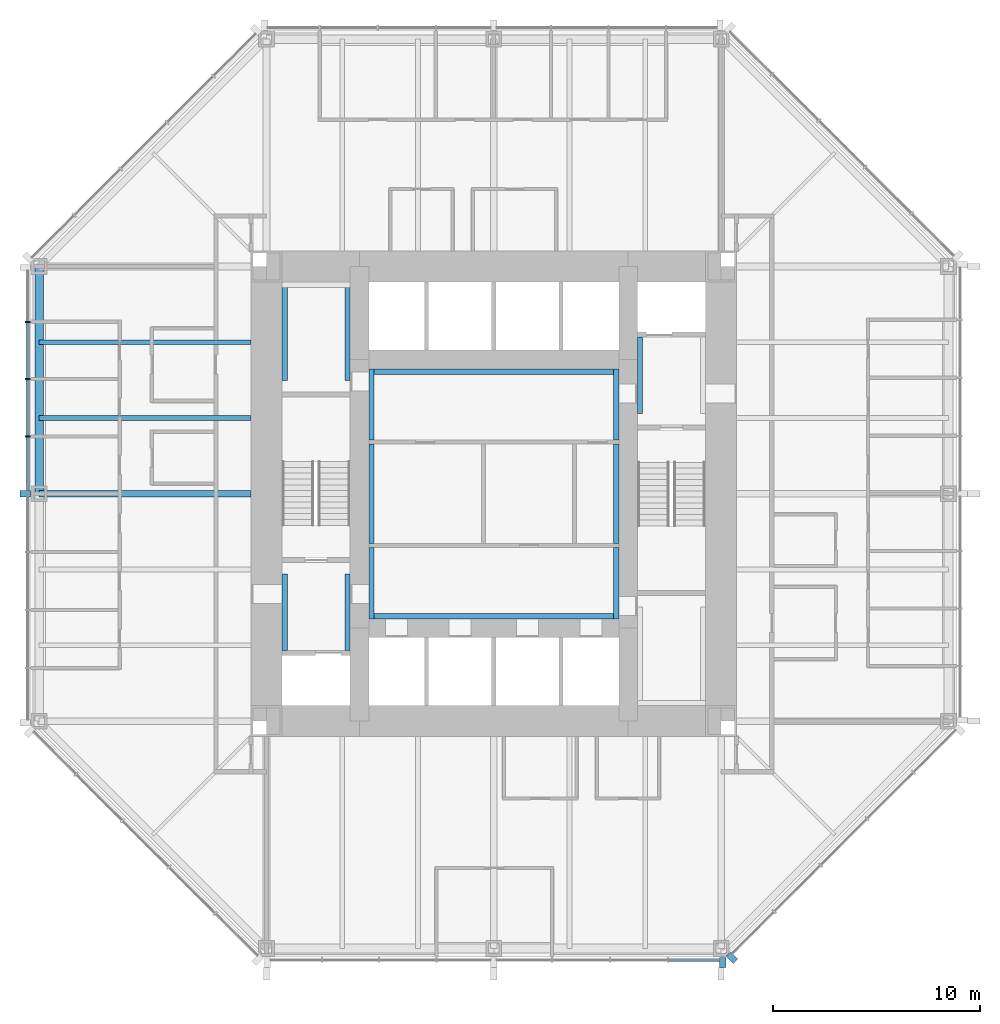
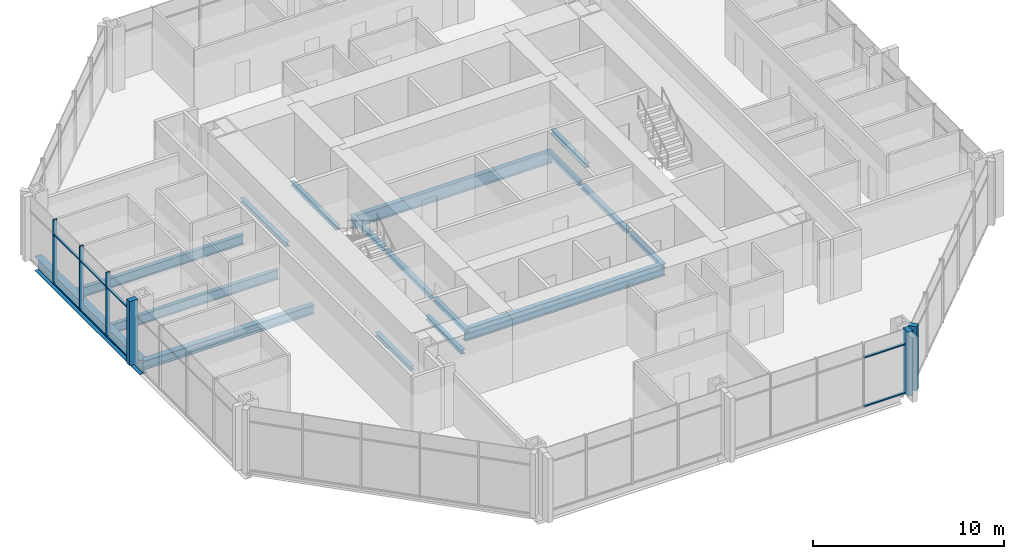
# One storey, part 3 of 14: 17 beams, 14 members, 3 elements without a shape of their own.
"""IFC4 building model written with IfcOpenShell, lengths in metres."""

from ifc_helpers import new_model, si_unit, direction, frame, origin, origin_2d, place, context, subcontext, project, spatial, rectangle, i_section, extrude, material, material_profile, profile_set, type_object, element, aggregate, save


model = new_model("IFC4")

# Units and contexts
model_context = context("Model", 3, precision=1e-05, world=origin(), true_north=direction((0.0, 1.0)))
body_context = subcontext(model_context, "Body", "Model", "MODEL_VIEW")
ifc_project = project(units=[si_unit("LENGTHUNIT", "METRE"), si_unit("AREAUNIT", "SQUARE_METRE"), si_unit("VOLUMEUNIT", "CUBIC_METRE"), si_unit("PLANEANGLEUNIT", "RADIAN"), si_unit("MASSUNIT", "GRAM", prefix="KILO")], contexts=[model_context])

# Site, building, storey
site_placement = place(None, origin())
site = spatial("IfcSite", under=ifc_project, at=site_placement, CompositionType="ELEMENT")
building_placement = place(site_placement, origin())
building = spatial("IfcBuilding", under=site, at=building_placement, Name="Trevanion Tower", CompositionType="ELEMENT")
storey_placement = place(building_placement, frame((0.0, 0.0, 104.89990234375)))
storey = spatial("IfcBuildingStorey", under=building, at=storey_placement, Name="L24", CompositionType="ELEMENT", Elevation=104.89990234375)

# Beams
ifc_material_1 = material(Name="Steel ASTM A992 Grade 50", Category="steel")
ifc_material_profile_1 = material_profile(ifc_material_1, i_section(OverallWidth=0.22900390625, OverallDepth=0.612060546875, WebThickness=0.011962890625, FlangeThickness=0.01953125, at=origin_2d()), Name="W24X84")
ifc_profile_set_1 = profile_set([ifc_material_profile_1], Name="Steel ASTM A992 Grade 50")
beam_type_1 = type_object("IfcBeamType", Name="B7 W24X84", PredefinedType="BEAM", material=ifc_profile_set_1)
for number, where, z_axis, x_axis, name in (
    (1, (-11.75, 7.333251953125, -0.49609375), (-1.0, 0.0, 0.0), (0.0, -1.0, 0.0), "B7 L24"),
    (2, (-11.75, 3.666748046875, -0.49609375), (-1.0, 0.0, 0.0), (0.0, -1.0, 0.0), "B7 L24"),
):
    element("IfcBeam", number, at=place(storey_placement, frame(where, z_axis=z_axis, x_axis=x_axis)), inside=storey, type_object=beam_type_1, Name=name, PredefinedType="BEAM", context=body_context, shape_type="SweptSolid", body=[
        extrude(i_section(OverallWidth=0.22900390625, OverallDepth=0.612060546875, WebThickness=0.011962890625, FlangeThickness=0.01953125, at=origin_2d()), origin(), (0.0, 0.0, 1.0), 10.25),
    ])

# Curtain wall, members
ifc_material_2 = material(Name="Aluminium and glass", Category="aluminium")
curtain_wall_type = type_object("IfcCurtainWallType", Name="CW2 curtain wall", PredefinedType="USERDEFINED", material=ifc_material_2)
curtain_wall_1_placement = place(storey_placement, origin())
curtain_wall_1 = element("IfcCurtainWall", 3, at=curtain_wall_1_placement, inside=storey, type_object=curtain_wall_type, Name="CW2 L24 4", ObjectType="UNITISED CURTAIN WALL", PredefinedType="USERDEFINED")
ifc_material_3 = material(Name="Aluminium extrusion, anodised bronze", Category="aluminium")
ifc_material_profile_2 = material_profile(ifc_material_3, rectangle(XDim=0.074951171875, YDim=0.25, at=origin_2d()), Name="CW2 mullion")
ifc_profile_set_2 = profile_set([ifc_material_profile_2], Name="Aluminium extrusion, anodised bronze")
member_type_1 = type_object("IfcMemberType", Name="CW2 mullion", PredefinedType="MULLION", material=ifc_profile_set_2)
member_1_placement = place(storey_placement, frame((-22.550048828125, 8.323486328125, -0.18994140625), z_axis=(0.0, 0.0, 1.0), x_axis=(0.0, -1.0, 0.0)))
member_1 = element("IfcMember", 4, at=member_1_placement, type_object=member_type_1, Name="CW2 mullion 2", PredefinedType="MULLION", context=body_context, shape_type="SweptSolid", body=[
    extrude(rectangle(XDim=0.074951171875, YDim=0.25, at=origin_2d()), origin(), (0.0, 0.0, 1.0), 4.10009765625),
])
member_2_placement = place(storey_placement, frame((-22.550048828125, 5.548828125, -0.18994140625), z_axis=(0.0, 0.0, 1.0), x_axis=(0.0, -1.0, 0.0)))
member_2 = element("IfcMember", 5, at=member_2_placement, type_object=member_type_1, Name="CW2 mullion 3", PredefinedType="MULLION", context=body_context, shape_type="SweptSolid", body=[
    extrude(rectangle(XDim=0.074951171875, YDim=0.25, at=origin_2d()), origin(), (0.0, 0.0, 1.0), 4.10009765625),
])
member_3_placement = place(storey_placement, frame((-22.550048828125, 2.7744140625, -0.18994140625), z_axis=(0.0, 0.0, 1.0), x_axis=(0.0, -1.0, 0.0)))
member_3 = element("IfcMember", 6, at=member_3_placement, type_object=member_type_1, Name="CW2 mullion 4", PredefinedType="MULLION", context=body_context, shape_type="SweptSolid", body=[
    extrude(rectangle(XDim=0.074951171875, YDim=0.25, at=origin_2d()), origin(), (0.0, 0.0, 1.0), 4.10009765625),
])
ifc_material_4 = material(Name="Aluminium extrusion, anodised bronze", Category="aluminium")
ifc_material_profile_3 = material_profile(ifc_material_4, rectangle(XDim=0.300048828125, YDim=0.5, at=origin_2d()), Name="CW2 pier mullion")
ifc_profile_set_3 = profile_set([ifc_material_profile_3], Name="Aluminium extrusion, anodised bronze")
member_type_2 = type_object("IfcMemberType", Name="CW2 pier mullion", PredefinedType="MULLION", material=ifc_profile_set_3)
member_4_placement = place(storey_placement, frame((-22.675048828125, 0.0, -0.18994140625), z_axis=(0.0, 0.0, 1.0), x_axis=(0.0, -1.0, 0.0)))
member_4 = element("IfcMember", 7, at=member_4_placement, type_object=member_type_2, Name="CW2 pier mullion 5", PredefinedType="MULLION", context=body_context, shape_type="SweptSolid", body=[
    extrude(rectangle(XDim=0.300048828125, YDim=0.5, at=origin_2d()), origin(), (0.0, 0.0, 1.0), 4.10009765625),
])

# Curtain wall, member
curtain_wall_2_placement = place(storey_placement, origin())
curtain_wall_2 = element("IfcCurtainWall", 8, at=curtain_wall_2_placement, inside=storey, type_object=curtain_wall_type, Name="CW2 L24 6", ObjectType="UNITISED CURTAIN WALL", PredefinedType="USERDEFINED")
member_5_placement = place(storey_placement, frame((11.077880859375, -22.675048828125, -0.18994140625), z_axis=(0.0, 0.0, 1.0), x_axis=(1.0, 0.0, 0.0)))
member_5 = element("IfcMember", 9, at=member_5_placement, type_object=member_type_2, Name="CW2 pier mullion 9", PredefinedType="MULLION", context=body_context, shape_type="SweptSolid", body=[
    extrude(rectangle(XDim=0.300048828125, YDim=0.5, at=origin_2d()), origin(), (0.0, 0.0, 1.0), 4.10009765625),
])

curtain_wall_3_placement = place(storey_placement, origin())
curtain_wall_3 = element("IfcCurtainWall", 10, at=curtain_wall_3_placement, inside=storey, type_object=curtain_wall_type, Name="CW2 L24 7", ObjectType="UNITISED CURTAIN WALL", PredefinedType="USERDEFINED")
member_6_placement = place(storey_placement, frame((11.51416015625, -22.4404296875, -0.18994140625), z_axis=(0.0, 0.0, 1.0), x_axis=(0.707106781187, 0.707106781187, 0.0)))
member_6 = element("IfcMember", 11, at=member_6_placement, type_object=member_type_2, Name="CW2 pier mullion 1", PredefinedType="MULLION", context=body_context, shape_type="SweptSolid", body=[
    extrude(rectangle(XDim=0.300048828125, YDim=0.5, at=origin_2d()), origin(), (0.0, 0.0, 1.0), 4.10009765625),
])
aggregate(curtain_wall_3, [member_6])

# Member
ifc_material_5 = material(Name="Aluminium extrusion, anodised bronze", Category="aluminium")
ifc_material_profile_4 = material_profile(ifc_material_5, rectangle(XDim=0.14990234375, YDim=0.074951171875, at=origin_2d()), Name="CW2 transom")
ifc_profile_set_4 = profile_set([ifc_material_profile_4], Name="Aluminium extrusion, anodised bronze")
member_type_3 = type_object("IfcMemberType", Name="CW2 transom", PredefinedType="USERDEFINED", material=ifc_profile_set_4)
member_7_placement = place(storey_placement, frame((-22.550048828125, 8.285888671875, -0.15234375), z_axis=(0.0, -1.0, 0.0), x_axis=(1.0, 0.0, 0.0)))
member_7 = element("IfcMember", 12, at=member_7_placement, type_object=member_type_3, Name="CW2 transom 2.1", ObjectType="TRANSOM", PredefinedType="USERDEFINED", context=body_context, shape_type="SweptSolid", body=[
    extrude(rectangle(XDim=0.14990234375, YDim=0.074951171875, at=origin_2d()), origin(), (0.0, 0.0, 1.0), 2.699462890625),
])

member_8_placement = place(storey_placement, frame((-22.550048828125, 8.285888671875, 2.960205078125), z_axis=(0.0, -1.0, 0.0), x_axis=(1.0, 0.0, 0.0)))
member_8 = element("IfcMember", 13, at=member_8_placement, type_object=member_type_3, Name="CW2 transom 2.2", ObjectType="TRANSOM", PredefinedType="USERDEFINED", context=body_context, shape_type="SweptSolid", body=[
    extrude(rectangle(XDim=0.14990234375, YDim=0.074951171875, at=origin_2d()), origin(), (0.0, 0.0, 1.0), 2.699462890625),
])

member_9_placement = place(storey_placement, frame((-22.550048828125, 5.511474609375, -0.15234375), z_axis=(0.0, -1.0, 0.0), x_axis=(1.0, 0.0, 0.0)))
member_9 = element("IfcMember", 14, at=member_9_placement, type_object=member_type_3, Name="CW2 transom 3.1", ObjectType="TRANSOM", PredefinedType="USERDEFINED", context=body_context, shape_type="SweptSolid", body=[
    extrude(rectangle(XDim=0.14990234375, YDim=0.074951171875, at=origin_2d()), origin(), (0.0, 0.0, 1.0), 2.699462890625),
])

member_10_placement = place(storey_placement, frame((-22.550048828125, 5.511474609375, 2.960205078125), z_axis=(0.0, -1.0, 0.0), x_axis=(1.0, 0.0, 0.0)))
member_10 = element("IfcMember", 15, at=member_10_placement, type_object=member_type_3, Name="CW2 transom 3.2", ObjectType="TRANSOM", PredefinedType="USERDEFINED", context=body_context, shape_type="SweptSolid", body=[
    extrude(rectangle(XDim=0.14990234375, YDim=0.074951171875, at=origin_2d()), origin(), (0.0, 0.0, 1.0), 2.699462890625),
])

member_11_placement = place(storey_placement, frame((-22.550048828125, 2.737060546875, -0.15234375), z_axis=(0.0, -1.0, 0.0), x_axis=(1.0, 0.0, 0.0)))
member_11 = element("IfcMember", 16, at=member_11_placement, type_object=member_type_3, Name="CW2 transom 4.1", ObjectType="TRANSOM", PredefinedType="USERDEFINED", context=body_context, shape_type="SweptSolid", body=[
    extrude(rectangle(XDim=0.14990234375, YDim=0.074951171875, at=origin_2d()), origin(), (0.0, 0.0, 1.0), 2.587158203125),
])

member_12_placement = place(storey_placement, frame((-22.550048828125, 2.737060546875, 2.960205078125), z_axis=(0.0, -1.0, 0.0), x_axis=(1.0, 0.0, 0.0)))
member_12 = element("IfcMember", 17, at=member_12_placement, type_object=member_type_3, Name="CW2 transom 4.2", ObjectType="TRANSOM", PredefinedType="USERDEFINED", context=body_context, shape_type="SweptSolid", body=[
    extrude(rectangle(XDim=0.14990234375, YDim=0.074951171875, at=origin_2d()), origin(), (0.0, 0.0, 1.0), 2.587158203125),
])

aggregate(curtain_wall_1, [member_1, member_2, member_3, member_4, member_7, member_8, member_9, member_10, member_11, member_12])

member_13_placement = place(storey_placement, frame((8.45849609375, -22.550048828125, -0.15234375), z_axis=(1.0, 0.0, 0.0), x_axis=(0.0, 1.0, 0.0)))
member_13 = element("IfcMember", 18, at=member_13_placement, type_object=member_type_3, Name="CW2 transom 8.1", ObjectType="TRANSOM", PredefinedType="USERDEFINED", context=body_context, shape_type="SweptSolid", body=[
    extrude(rectangle(XDim=0.14990234375, YDim=0.074951171875, at=origin_2d()), origin(), (0.0, 0.0, 1.0), 2.46923828125),
])

member_14_placement = place(storey_placement, frame((8.45849609375, -22.550048828125, 2.960205078125), z_axis=(1.0, 0.0, 0.0), x_axis=(0.0, 1.0, 0.0)))
member_14 = element("IfcMember", 19, at=member_14_placement, type_object=member_type_3, Name="CW2 transom 8.2", ObjectType="TRANSOM", PredefinedType="USERDEFINED", context=body_context, shape_type="SweptSolid", body=[
    extrude(rectangle(XDim=0.14990234375, YDim=0.074951171875, at=origin_2d()), origin(), (0.0, 0.0, 1.0), 2.46923828125),
])

aggregate(curtain_wall_2, [member_5, member_13, member_14])

# Beams
ifc_material_6 = material(Name="Steel ASTM A992 Grade 50", Category="steel")
ifc_material_profile_5 = material_profile(ifc_material_6, i_section(OverallWidth=0.320068359375, OverallDepth=0.584228515625, WebThickness=0.023193359375, FlangeThickness=0.04150390625, at=origin_2d()), Name="W21X201")
ifc_profile_set_5 = profile_set([ifc_material_profile_5], Name="Steel ASTM A992 Grade 50")
beam_type_2 = type_object("IfcBeamType", Name="G4 W21X201", PredefinedType="BEAM", material=ifc_profile_set_5)
beam_1_placement = place(storey_placement, frame((-11.75, 0.0, -0.48193359375), z_axis=(-1.0, 0.0, 0.0), x_axis=(0.0, -1.0, 0.0)))
element("IfcBeam", 20, at=beam_1_placement, inside=storey, type_object=beam_type_2, Name="G4 L24", PredefinedType="BEAM", context=body_context, shape_type="SweptSolid", body=[
    extrude(i_section(OverallWidth=0.320068359375, OverallDepth=0.584228515625, WebThickness=0.023193359375, FlangeThickness=0.04150390625, at=origin_2d()), origin(), (0.0, 0.0, 1.0), 10.25),
])
ifc_material_7 = material(Name="Steel ASTM A992 Grade 50", Category="steel")
ifc_material_profile_6 = material_profile(ifc_material_7, i_section(OverallWidth=0.256591796875, OverallDepth=0.26416015625, WebThickness=0.011962890625, FlangeThickness=0.01953125, at=origin_2d()), Name="W10X68")
ifc_profile_set_6 = profile_set([ifc_material_profile_6], Name="Steel ASTM A992 Grade 50")
beam_type_3 = type_object("IfcBeamType", Name="LB1 W10X68", PredefinedType="BEAM", material=ifc_profile_set_6)
for number, where, z_axis, x_axis, name in (
    (21, (-5.921630859375, 2.60009765625, -0.33203125), (0.0, 1.0, 0.0), (-1.0, 0.0, 0.0), "LB1 L24"),
    (22, (5.921630859375, 2.60009765625, -0.33203125), (0.0, 1.0, 0.0), (-1.0, 0.0, 0.0), "LB1 L24"),
    (23, (-5.921630859375, -6.050048828125, -0.33203125), (0.0, 1.0, 0.0), (-1.0, 0.0, 0.0), "LB1 L24"),
    (24, (5.921630859375, -6.050048828125, -0.33203125), (0.0, 1.0, 0.0), (-1.0, 0.0, 0.0), "LB1 L24"),
):
    element("IfcBeam", number, at=place(storey_placement, frame(where, z_axis=z_axis, x_axis=x_axis)), inside=storey, type_object=beam_type_3, Name=name, PredefinedType="BEAM", context=body_context, shape_type="SweptSolid", body=[
        extrude(i_section(OverallWidth=0.256591796875, OverallDepth=0.26416015625, WebThickness=0.011962890625, FlangeThickness=0.01953125, at=origin_2d()), origin(), (0.0, 0.0, 1.0), 3.449951171875),
    ])
for number, where, z_axis, x_axis, name in (
    (25, (7.078369140625, 3.875, -0.33203125), (0.0, 1.0, 0.0), (-1.0, 0.0, 0.0), "LB1 L24"),
    (26, (-10.12158203125, -7.574951171875, -0.33203125), (0.0, 1.0, 0.0), (-1.0, 0.0, 0.0), "LB1 L24"),
    (27, (-7.078369140625, -7.574951171875, -0.33203125), (0.0, 1.0, 0.0), (-1.0, 0.0, 0.0), "LB1 L24"),
):
    element("IfcBeam", number, at=place(storey_placement, frame(where, z_axis=z_axis, x_axis=x_axis)), inside=storey, type_object=beam_type_3, Name=name, PredefinedType="BEAM", context=body_context, shape_type="SweptSolid", body=[
        extrude(i_section(OverallWidth=0.256591796875, OverallDepth=0.26416015625, WebThickness=0.011962890625, FlangeThickness=0.01953125, at=origin_2d()), origin(), (0.0, 0.0, 1.0), 3.699951171875),
    ])
for number, where, z_axis, x_axis, name in (
    (28, (-10.12158203125, 5.47509765625, -0.33203125), (0.0, 1.0, 0.0), (-1.0, 0.0, 0.0), "LB1 L24"),
    (29, (-7.078369140625, 5.47509765625, -0.33203125), (0.0, 1.0, 0.0), (-1.0, 0.0, 0.0), "LB1 L24"),
):
    element("IfcBeam", number, at=place(storey_placement, frame(where, z_axis=z_axis, x_axis=x_axis)), inside=storey, type_object=beam_type_3, Name=name, PredefinedType="BEAM", context=body_context, shape_type="SweptSolid", body=[
        extrude(i_section(OverallWidth=0.256591796875, OverallDepth=0.26416015625, WebThickness=0.011962890625, FlangeThickness=0.01953125, at=origin_2d()), origin(), (0.0, 0.0, 1.0), 4.77490234375),
    ])
for number, where, z_axis, x_axis, name in (
    (30, (-5.921630859375, -2.39990234375, -0.33203125), (0.0, 1.0, 0.0), (-1.0, 0.0, 0.0), "LB1 L24"),
    (31, (5.921630859375, -2.39990234375, -0.33203125), (0.0, 1.0, 0.0), (-1.0, 0.0, 0.0), "LB1 L24"),
):
    element("IfcBeam", number, at=place(storey_placement, frame(where, z_axis=z_axis, x_axis=x_axis)), inside=storey, type_object=beam_type_3, Name=name, PredefinedType="BEAM", context=body_context, shape_type="SweptSolid", body=[
        extrude(i_section(OverallWidth=0.256591796875, OverallDepth=0.26416015625, WebThickness=0.011962890625, FlangeThickness=0.01953125, at=origin_2d()), origin(), (0.0, 0.0, 1.0), 4.7998046875),
    ])
ifc_material_8 = material(Name="Steel ASTM A992 Grade 50", Category="steel")
ifc_material_profile_7 = material_profile(ifc_material_8, i_section(OverallWidth=0.2666015625, OverallDepth=0.76953125, WebThickness=0.015625, FlangeThickness=0.025390625, at=origin_2d()), Name="W30X132")
ifc_profile_set_7 = profile_set([ifc_material_profile_7], Name="Steel ASTM A992 Grade 50")
beam_type_4 = type_object("IfcBeamType", Name="LB3 W30X132", PredefinedType="BEAM", material=ifc_profile_set_7)
for number, where, z_axis, x_axis, name in (
    (32, (-6.050048828125, 5.91650390625, -0.584716796875), (1.0, 0.0, 0.0), (0.0, 1.0, 0.0), "LB3 L24"),
    (33, (-6.050048828125, -5.91650390625, -0.584716796875), (1.0, 0.0, 0.0), (0.0, 1.0, 0.0), "LB3 L24"),
):
    element("IfcBeam", number, at=place(storey_placement, frame(where, z_axis=z_axis, x_axis=x_axis)), inside=storey, type_object=beam_type_4, Name=name, PredefinedType="BEAM", context=body_context, shape_type="SweptSolid", body=[
        extrude(i_section(OverallWidth=0.2666015625, OverallDepth=0.76953125, WebThickness=0.015625, FlangeThickness=0.025390625, at=origin_2d()), origin(), (0.0, 0.0, 1.0), 12.10009765625),
    ])
ifc_material_9 = material(Name="Steel ASTM A992 Grade 50", Category="steel")
ifc_material_profile_8 = material_profile(ifc_material_9, i_section(OverallWidth=0.419189453125, OverallDepth=0.927001953125, WebThickness=0.019287109375, FlangeThickness=0.031982421875, at=origin_2d()), Name="W36X231")
ifc_profile_set_8 = profile_set([ifc_material_profile_8], Name="Steel ASTM A992 Grade 50")
beam_type_5 = type_object("IfcBeamType", Name="SB4 W36X231", PredefinedType="SPANDREL", material=ifc_profile_set_8)
beam_2_placement = place(storey_placement, frame((-22.0, 11.0, -0.6533203125), z_axis=(0.0, -1.0, 0.0), x_axis=(1.0, 0.0, 0.0)))
element("IfcBeam", 34, at=beam_2_placement, inside=storey, type_object=beam_type_5, Name="SB4 L24", PredefinedType="SPANDREL", context=body_context, shape_type="SweptSolid", body=[
    extrude(i_section(OverallWidth=0.419189453125, OverallDepth=0.927001953125, WebThickness=0.019287109375, FlangeThickness=0.031982421875, at=origin_2d()), origin(), (0.0, 0.0, 1.0), 11.0),
])

save(model, "model.ifc")
